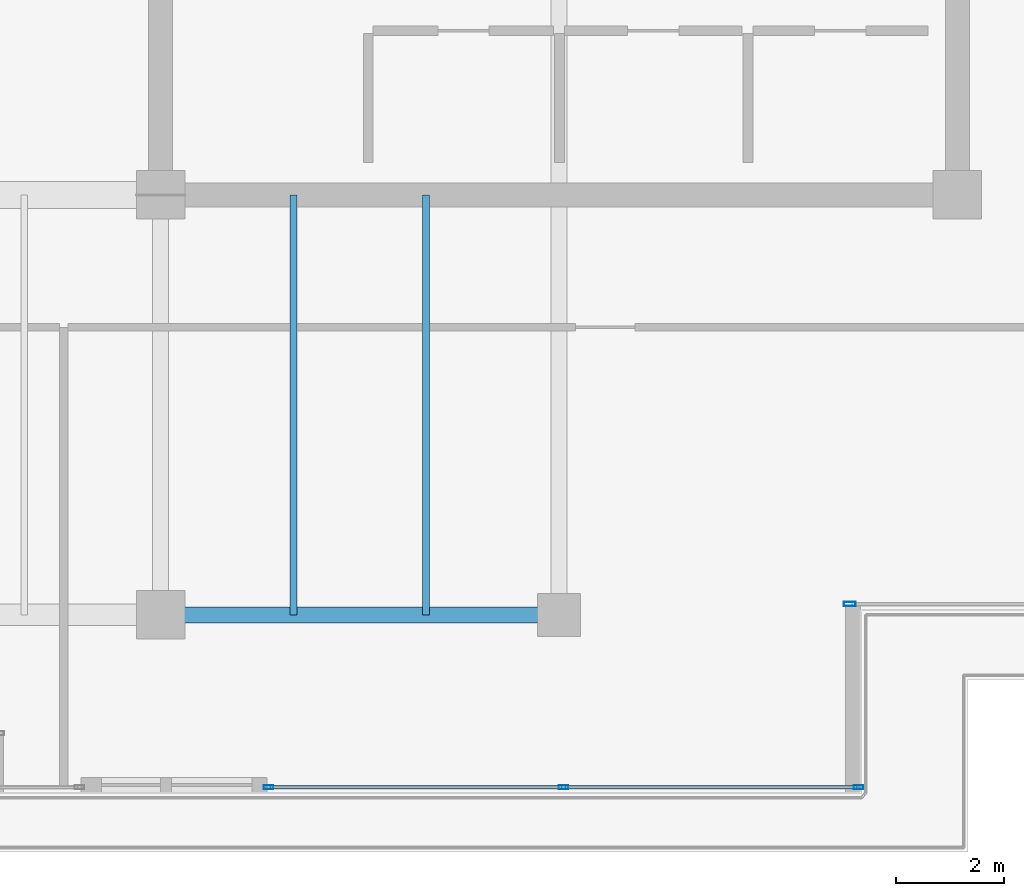
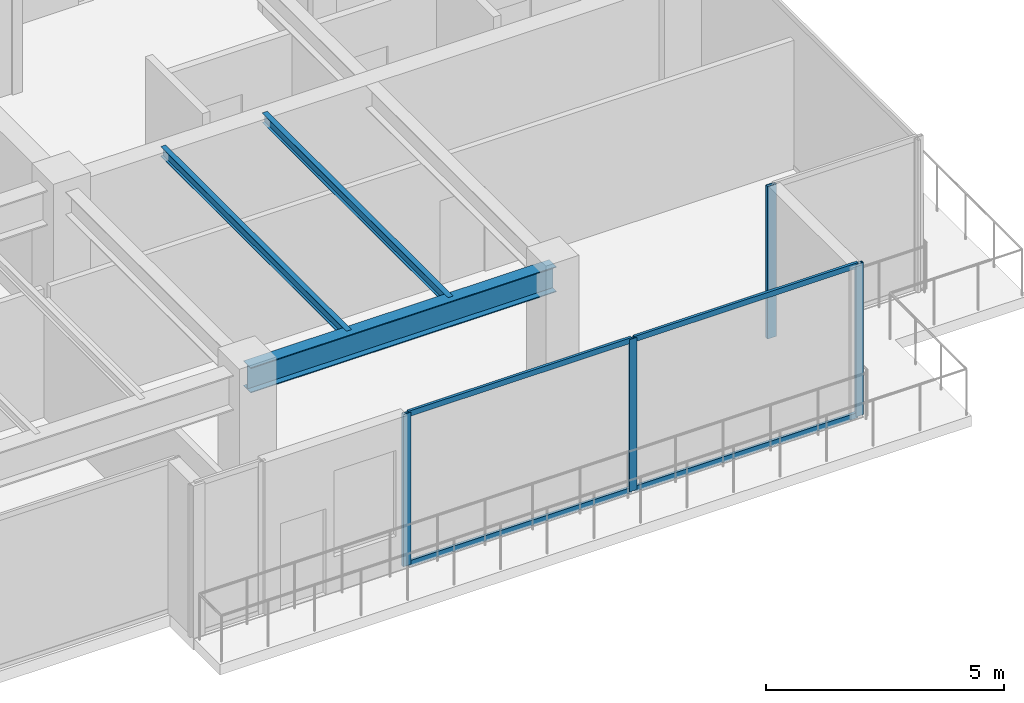
# One storey, part 13 of 34: 8 members, 3 beams, 2 elements without a shape of their own.
"""IFC4 building model written with IfcOpenShell, lengths in metres."""

from ifc_helpers import new_model, si_unit, direction, frame, origin, origin_2d, place, context, subcontext, project, spatial, hollow_rectangle, i_section, extrude, source, transform, mapped, material, layer, layer_set, material_profile, profile_set, type_object, type_shapes, element, aggregate, save


model = new_model("IFC4")

# Units and contexts
model_context = context("Model", 3, precision=1e-05, world=origin(), true_north=direction((0.0, 1.0)))
body_context = subcontext(model_context, "Body", "Model", "MODEL_VIEW")
ifc_project = project(units=[si_unit("LENGTHUNIT", "METRE"), si_unit("AREAUNIT", "SQUARE_METRE"), si_unit("VOLUMEUNIT", "CUBIC_METRE"), si_unit("PLANEANGLEUNIT", "RADIAN"), si_unit("MASSUNIT", "GRAM", prefix="KILO")], contexts=[model_context])

# Site, building, storey
site_placement = place(None, origin())
site = spatial("IfcSite", under=ifc_project, at=site_placement, CompositionType="ELEMENT")
building_placement = place(site_placement, origin())
building = spatial("IfcBuilding", under=site, at=building_placement, Name="Haelvirn Gate Laboratories", CompositionType="ELEMENT")
storey_placement = place(building_placement, frame((0.0, 0.0, 297.60009765625)))
storey = spatial("IfcBuildingStorey", under=building, at=storey_placement, Name="L71", CompositionType="ELEMENT", Elevation=297.60009765625)

# Beams
ifc_material_1 = material(Name="Steel SM355", Category="steel")
ifc_material_profile_1 = material_profile(ifc_material_1, i_section(OverallWidth=0.300048828125, OverallDepth=0.64990234375, WebThickness=0.012939453125, FlangeThickness=0.02197265625, at=origin_2d()), Name="H-650x300x13x22")
ifc_profile_set_1 = profile_set([ifc_material_profile_1], Name="Steel SM355")
beam_type_1 = type_object("IfcBeamType", Name="BM-G-650", PredefinedType="BEAM", material=ifc_profile_set_1)
shared_shape_1 = source(origin(), body_context, "Body", "SweptSolid", [
    extrude(i_section(OverallWidth=0.300048828125, OverallDepth=0.64990234375, WebThickness=0.012939453125, FlangeThickness=0.02197265625, at=origin_2d()), origin(), (0.0, 0.0, 1.0), 7.39990234375),
])
type_shapes(beam_type_1, [shared_shape_1])
beam_placement = place(storey_placement, frame((52.60009765625, 7.0, 3.574951171875), z_axis=(1.0, 0.0, 0.0), x_axis=(0.0, 1.0, 0.0)))
element("IfcBeam", 1, at=beam_placement, inside=storey, type_object=beam_type_1, Name="L71 Primary Girder Y7.0 (52.6-60.0)", PredefinedType="BEAM", context=body_context, shape_type="MappedRepresentation", body=[
    mapped(shared_shape_1, transform((0.0, 0.0, 0.0), scale=1.0)),
])
ifc_material_profile_2 = material_profile(ifc_material_1, i_section(OverallWidth=0.125, OverallDepth=0.25, WebThickness=0.006103515625, FlangeThickness=0.009033203125, at=origin_2d()), Name="H-250x125x6x9")
ifc_profile_set_2 = profile_set([ifc_material_profile_2], Name="Steel SM355")
beam_type_2 = type_object("IfcBeamType", Name="BM-J-250", PredefinedType="JOIST", material=ifc_profile_set_2)
shared_shape_2 = source(origin(), body_context, "Body", "SweptSolid", [
    extrude(i_section(OverallWidth=0.125, OverallDepth=0.25, WebThickness=0.006103515625, FlangeThickness=0.009033203125, at=origin_2d()), origin(), (0.0, 0.0, 1.0), 7.800048828125),
])
type_shapes(beam_type_2, [shared_shape_2])
for number, where, z_axis, x_axis, name in (
    (2, (55.070068359375, 7.0, 3.77490234375), (0.0, 1.0, 0.0), (-1.0, 0.0, 0.0), "L71 Composite Lab Joist South X55.07"),
    (3, (57.530029296875, 7.0, 3.77490234375), (0.0, 1.0, 0.0), (-1.0, 0.0, 0.0), "L71 Composite Lab Joist South X57.53"),
):
    element("IfcBeam", number, at=place(storey_placement, frame(where, z_axis=z_axis, x_axis=x_axis)), inside=storey, type_object=beam_type_2, Name=name, PredefinedType="JOIST", context=body_context, shape_type="MappedRepresentation", body=[
        mapped(shared_shape_2, transform((0.0, 0.0, 0.0), scale=1.0)),
    ])

# Curtain wall, members
ifc_material_2 = material(Name="Anodised bronze unitised aluminium & triple low-E glass", Category="aluminium")
ifc_layer_1 = layer(ifc_material_2, 0.176025390625, Name="CW-SYS-4")
ifc_layer_set_1 = layer_set([ifc_layer_1], Name="Anodised bronze unitised aluminium & triple low-E glass")
curtain_wall_type_1 = type_object("IfcCurtainWallType", Name="CW-SYS-4", PredefinedType="NOTDEFINED", material=ifc_layer_set_1)
curtain_wall_1_placement = place(storey_placement, origin())
curtain_wall_1 = element("IfcCurtainWall", 4, at=curtain_wall_1_placement, inside=storey, type_object=curtain_wall_type_1, Name="L71 Unitised Curtain Wall CW-L71-P0-E04-2", PredefinedType="NOTDEFINED")
ifc_material_3 = material(Name="Extruded aluminium 6063-T6 (anodised bronze)", Category="aluminium")
ifc_material_profile_3 = material_profile(ifc_material_3, hollow_rectangle(XDim=0.070068359375, YDim=0.179931640625, WallThickness=0.0048828125, at=origin_2d()), Name="CWM-180x70x5")
ifc_profile_set_3 = profile_set([ifc_material_profile_3], Name="Extruded aluminium 6063-T6 (anodised bronze)")
member_type_1 = type_object("IfcMemberType", Name="CWM-T180", PredefinedType="MULLION", material=ifc_profile_set_3)
shared_shape_3 = source(origin(), body_context, "Body", "SweptSolid", [
    extrude(hollow_rectangle(XDim=0.070068359375, YDim=0.179931640625, WallThickness=0.0048828125, at=origin_2d()), origin(), (0.0, 0.0, 1.0), 3.89990234375),
])
type_shapes(member_type_1, [shared_shape_3])
member_1_placement = place(storey_placement, frame((54.60498046875, 3.800048828125, 0.0), z_axis=(0.0, 0.0, 1.0), x_axis=(0.0, 1.0, 0.0)))
member_1 = element("IfcMember", 5, at=member_1_placement, type_object=member_type_1, Name="CW4 mullion 1", PredefinedType="MULLION", context=body_context, shape_type="MappedRepresentation", body=[
    mapped(shared_shape_3, transform((0.0, 0.0, 0.0), scale=1.0)),
])
member_2_placement = place(storey_placement, frame((60.0849609375, 3.800048828125, 0.0), z_axis=(0.0, 0.0, 1.0), x_axis=(0.0, 1.0, 0.0)))
member_2 = element("IfcMember", 6, at=member_2_placement, type_object=member_type_1, Name="CW4 mullion 2", PredefinedType="MULLION", context=body_context, shape_type="MappedRepresentation", body=[
    mapped(shared_shape_3, transform((0.0, 0.0, 0.0), scale=1.0)),
])
member_3_placement = place(storey_placement, frame((65.56494140625, 3.800048828125, 0.0), z_axis=(0.0, 0.0, 1.0), x_axis=(0.0, 1.0, 0.0)))
member_3 = element("IfcMember", 7, at=member_3_placement, type_object=member_type_1, Name="CW4 mullion 3", PredefinedType="MULLION", context=body_context, shape_type="MappedRepresentation", body=[
    mapped(shared_shape_3, transform((0.0, 0.0, 0.0), scale=1.0)),
])
ifc_material_profile_4 = material_profile(ifc_material_3, hollow_rectangle(XDim=0.06494140625, YDim=0.139892578125, WallThickness=0.00390625, at=origin_2d()), Name="CWT-140x65x4")
ifc_profile_set_4 = profile_set([ifc_material_profile_4], Name="Extruded aluminium 6063-T6 (anodised bronze)")
member_type_2 = type_object("IfcMemberType", Name="CWT-T140", PredefinedType="USERDEFINED", material=ifc_profile_set_4)
shared_shape_4 = source(origin(), body_context, "Body", "SweptSolid", [
    extrude(hollow_rectangle(XDim=0.06494140625, YDim=0.139892578125, WallThickness=0.00390625, at=origin_2d()), origin(), (0.0, 0.0, 1.0), 5.41015625),
])
member_4_placement = place(storey_placement, frame((54.639892578125, 3.800048828125, 0.032470703125), z_axis=(1.0, 0.0, 0.0), x_axis=(0.0, 1.0, 0.0)))
member_4 = element("IfcMember", 8, at=member_4_placement, type_object=member_type_2, Name="CW4 transom 1.1", ObjectType="TRANSOM", PredefinedType="USERDEFINED", context=body_context, shape_type="MappedRepresentation", body=[
    mapped(shared_shape_4, transform((0.0, 0.0, 0.0), scale=1.0)),
])
member_5_placement = place(storey_placement, frame((54.639892578125, 3.800048828125, 3.867431640625), z_axis=(1.0, 0.0, 0.0), x_axis=(0.0, 1.0, 0.0)))
member_5 = element("IfcMember", 9, at=member_5_placement, type_object=member_type_2, Name="CW4 transom 1.2", ObjectType="TRANSOM", PredefinedType="USERDEFINED", context=body_context, shape_type="MappedRepresentation", body=[
    mapped(shared_shape_4, transform((0.0, 0.0, 0.0), scale=1.0)),
])
shared_shape_5 = source(origin(), body_context, "Body", "SweptSolid", [
    extrude(hollow_rectangle(XDim=0.06494140625, YDim=0.139892578125, WallThickness=0.00390625, at=origin_2d()), origin(), (0.0, 0.0, 1.0), 5.409912109375),
])
type_shapes(member_type_2, [shared_shape_4, shared_shape_5])
member_6_placement = place(storey_placement, frame((60.1201171875, 3.800048828125, 0.032470703125), z_axis=(1.0, 0.0, 0.0), x_axis=(0.0, 1.0, 0.0)))
member_6 = element("IfcMember", 10, at=member_6_placement, type_object=member_type_2, Name="CW4 transom 2.1", ObjectType="TRANSOM", PredefinedType="USERDEFINED", context=body_context, shape_type="MappedRepresentation", body=[
    mapped(shared_shape_5, transform((0.0, 0.0, 0.0), scale=1.0)),
])
member_7_placement = place(storey_placement, frame((60.1201171875, 3.800048828125, 3.867431640625), z_axis=(1.0, 0.0, 0.0), x_axis=(0.0, 1.0, 0.0)))
member_7 = element("IfcMember", 11, at=member_7_placement, type_object=member_type_2, Name="CW4 transom 2.2", ObjectType="TRANSOM", PredefinedType="USERDEFINED", context=body_context, shape_type="MappedRepresentation", body=[
    mapped(shared_shape_5, transform((0.0, 0.0, 0.0), scale=1.0)),
])
aggregate(curtain_wall_1, [member_1, member_2, member_3, member_4, member_5, member_6, member_7])

# Curtain wall, member
ifc_layer_2 = layer(ifc_material_2, 0.181884765625, Name="CW-SYS-5")
ifc_layer_set_2 = layer_set([ifc_layer_2], Name="Anodised bronze unitised aluminium & triple low-E glass")
curtain_wall_type_2 = type_object("IfcCurtainWallType", Name="CW-SYS-5", PredefinedType="NOTDEFINED", material=ifc_layer_set_2)
curtain_wall_2_placement = place(storey_placement, origin())
curtain_wall_2 = element("IfcCurtainWall", 12, at=curtain_wall_2_placement, inside=storey, type_object=curtain_wall_type_2, Name="L71 Unitised Curtain Wall CW-L71-P0-E06-1", PredefinedType="NOTDEFINED")
ifc_material_profile_5 = material_profile(ifc_material_3, hollow_rectangle(XDim=0.080078125, YDim=0.219970703125, WallThickness=0.006103515625, at=origin_2d()), Name="CWM-220x80x6")
ifc_profile_set_5 = profile_set([ifc_material_profile_5], Name="Extruded aluminium 6063-T6 (anodised bronze)")
member_type_3 = type_object("IfcMemberType", Name="CWM-T220", PredefinedType="MULLION", material=ifc_profile_set_5)
shared_shape_6 = source(origin(), body_context, "Body", "SweptSolid", [
    extrude(hollow_rectangle(XDim=0.080078125, YDim=0.219970703125, WallThickness=0.006103515625, at=origin_2d()), origin(), (0.0, 0.0, 1.0), 3.89990234375),
])
type_shapes(member_type_3, [shared_shape_6])
member_8_placement = place(storey_placement, frame((65.39990234375, 7.199951171875, 0.0), z_axis=(0.0, 0.0, 1.0), x_axis=(0.0, 1.0, 0.0)))
member_8 = element("IfcMember", 13, at=member_8_placement, type_object=member_type_3, Name="CW5 mullion 1", PredefinedType="MULLION", context=body_context, shape_type="MappedRepresentation", body=[
    mapped(shared_shape_6, transform((0.0, 0.0, 0.0), scale=1.0)),
])
aggregate(curtain_wall_2, [member_8])

save(model, "model.ifc")
